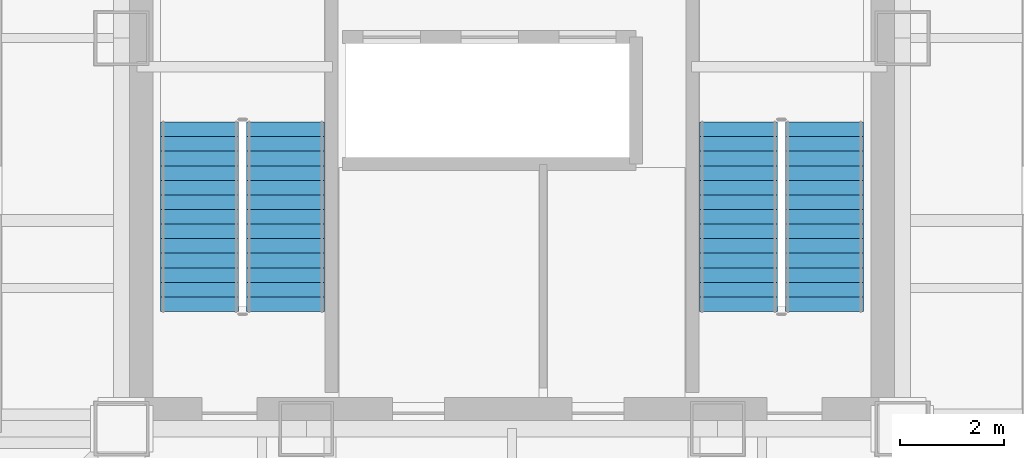
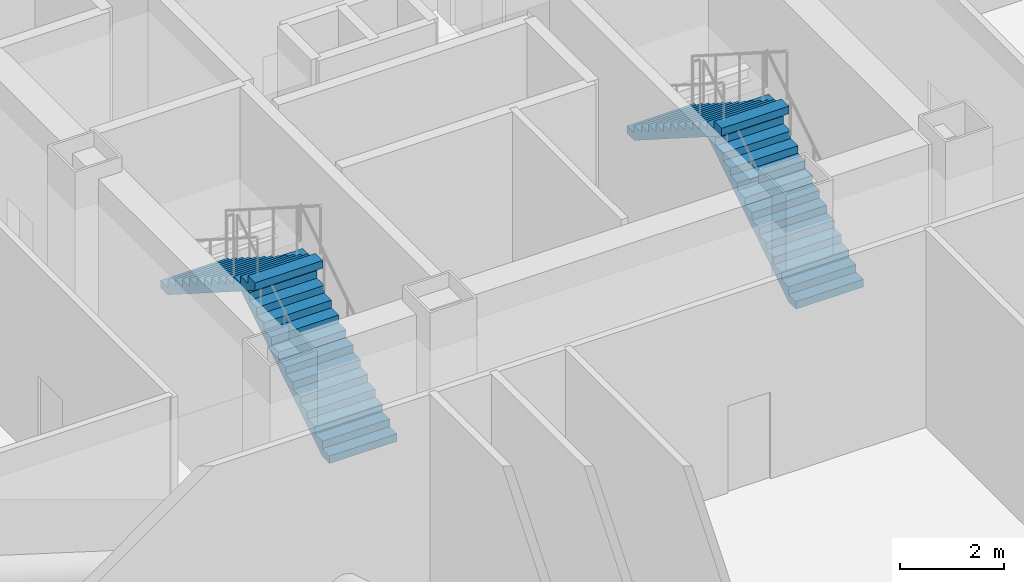
# One storey, part 5 of 8: 4 stair flights, 2 elements without a shape of their own.
"""IFC4 building model written with IfcOpenShell, lengths in metres."""

from ifc_helpers import new_model, si_unit, direction, frame, origin, place, context, subcontext, project, spatial, polyline, outline, extrude, material, type_object, element, aggregate, save


model = new_model("IFC4")

# Units and contexts
model_context = context("Model", 3, precision=1e-05, world=origin(), true_north=direction((0.0, 1.0)))
body_context = subcontext(model_context, "Body", "Model", "MODEL_VIEW")
ifc_project = project(units=[si_unit("LENGTHUNIT", "METRE"), si_unit("AREAUNIT", "SQUARE_METRE"), si_unit("VOLUMEUNIT", "CUBIC_METRE"), si_unit("PLANEANGLEUNIT", "RADIAN"), si_unit("MASSUNIT", "GRAM", prefix="KILO")], contexts=[model_context])

# Site, building, storey
site_placement = place(None, origin())
site = spatial("IfcSite", under=ifc_project, at=site_placement, CompositionType="ELEMENT")
building_placement = place(site_placement, origin())
building = spatial("IfcBuilding", under=site, at=building_placement, Name="Trevonay Congress Spire", CompositionType="ELEMENT")
storey_placement = place(building_placement, frame((0.0, 0.0, 155.199951171875)))
storey = spatial("IfcBuildingStorey", under=building, at=storey_placement, Name="L40", CompositionType="ELEMENT", Elevation=155.199951171875)

# Stair, stair flights
ifc_material = material(Name="Concrete C40/50", Category="concrete")
stair_type_1 = type_object("IfcStairType", Name="STR-ST-1", PredefinedType="HALF_TURN_STAIR", material=ifc_material)
stair_1_placement = place(storey_placement, origin())
stair_1 = element("IfcStair", 1, at=stair_1_placement, inside=storey, type_object=stair_type_1, Name="L40 Protected Exit Stair ST-1", PredefinedType="HALF_TURN_STAIR")
stair_flight_type_1 = type_object("IfcStairFlightType", Name="SFL-ST-1", PredefinedType="STRAIGHT", material=ifc_material)
stair_flight_1_placement = place(storey_placement, frame((-4.35009765625, -5.25, 0.0), z_axis=(0.0, 0.0, 1.0), x_axis=(0.0, 1.0, 0.0)))
stair_flight_1 = element("IfcStairFlight", 2, at=stair_flight_1_placement, type_object=stair_flight_type_1, Name="ST-1 flight 1", NumberOfRisers=14, NumberOfTreads=13, PredefinedType="STRAIGHT", RiserHeight=0.178571429, TreadLength=0.28, context=body_context, shape_type="SweptSolid", body=[
    extrude(outline(polyline([(0.0, 0.0), (0.0, 0.178466796875), (0.280029296875, 0.178466796875), (0.280029296875, 0.357177734375), (0.56005859375, 0.357177734375), (0.56005859375, 0.53564453125), (0.840087890625, 0.53564453125), (0.840087890625, 0.71435546875), (1.1201171875, 0.71435546875), (1.1201171875, 0.892822265625), (1.39990234375, 0.892822265625), (1.39990234375, 1.071533203125), (1.679931640625, 1.071533203125), (1.679931640625, 1.25), (1.9599609375, 1.25), (1.9599609375, 1.428466796875), (2.239990234375, 1.428466796875), (2.239990234375, 1.607177734375), (2.52001953125, 1.607177734375), (2.52001953125, 1.78564453125), (2.800048828125, 1.78564453125), (2.800048828125, 1.96435546875), (3.080078125, 1.96435546875), (3.080078125, 2.142822265625), (3.360107421875, 2.142822265625), (3.360107421875, 2.321533203125), (3.639892578125, 2.321533203125), (3.639892578125, 2.5), (3.639892578125, 2.1435546875), (0.27880859375, 0.0), (0.0, 0.0)])), frame((0.0, 0.75, 0.0), z_axis=(0.0, -1.0, 0.0), x_axis=(1.0, 0.0, 0.0)), (0.0, 0.0, 1.0), 1.5),
])
stair_flight_2_placement = place(storey_placement, frame((-6.0, -1.610107421875, 2.5), z_axis=(0.0, 0.0, 1.0), x_axis=(0.0, -1.0, 0.0)))
stair_flight_2 = element("IfcStairFlight", 3, at=stair_flight_2_placement, type_object=stair_flight_type_1, Name="ST-1 flight 2", NumberOfRisers=14, NumberOfTreads=13, PredefinedType="STRAIGHT", RiserHeight=0.178571429, TreadLength=0.28, context=body_context, shape_type="SweptSolid", body=[
    extrude(outline(polyline([(0.0, 0.0), (0.0, 0.178466796875), (0.280029296875, 0.178466796875), (0.280029296875, 0.357177734375), (0.56005859375, 0.357177734375), (0.56005859375, 0.53564453125), (0.840087890625, 0.53564453125), (0.840087890625, 0.71435546875), (1.1201171875, 0.71435546875), (1.1201171875, 0.892822265625), (1.39990234375, 0.892822265625), (1.39990234375, 1.071533203125), (1.679931640625, 1.071533203125), (1.679931640625, 1.25), (1.9599609375, 1.25), (1.9599609375, 1.428466796875), (2.239990234375, 1.428466796875), (2.239990234375, 1.607177734375), (2.52001953125, 1.607177734375), (2.52001953125, 1.78564453125), (2.800048828125, 1.78564453125), (2.800048828125, 1.96435546875), (3.080078125, 1.96435546875), (3.080078125, 2.142822265625), (3.360107421875, 2.142822265625), (3.360107421875, 2.321533203125), (3.639892578125, 2.321533203125), (3.639892578125, 2.5), (3.639892578125, 2.1435546875), (0.27880859375, 0.0), (0.0, 0.0)])), frame((0.0, 0.75, 0.0), z_axis=(0.0, -1.0, 0.0), x_axis=(1.0, 0.0, 0.0)), (0.0, 0.0, 1.0), 1.5),
])
aggregate(stair_1, [stair_flight_1, stair_flight_2])

stair_type_2 = type_object("IfcStairType", Name="STR-ST-2", PredefinedType="HALF_TURN_STAIR", material=ifc_material)
stair_2_placement = place(storey_placement, origin())
stair_2 = element("IfcStair", 4, at=stair_2_placement, inside=storey, type_object=stair_type_2, Name="L40 Protected Exit Stair ST-2", PredefinedType="HALF_TURN_STAIR")
stair_flight_type_2 = type_object("IfcStairFlightType", Name="SFL-ST-2", PredefinedType="STRAIGHT", material=ifc_material)
stair_flight_3_placement = place(storey_placement, frame((6.0, -5.25, 0.0), z_axis=(0.0, 0.0, 1.0), x_axis=(0.0, 1.0, 0.0)))
stair_flight_3 = element("IfcStairFlight", 5, at=stair_flight_3_placement, type_object=stair_flight_type_2, Name="ST-2 flight 1", NumberOfRisers=14, NumberOfTreads=13, PredefinedType="STRAIGHT", RiserHeight=0.178571429, TreadLength=0.28, context=body_context, shape_type="SweptSolid", body=[
    extrude(outline(polyline([(0.0, 0.0), (0.0, 0.178466796875), (0.280029296875, 0.178466796875), (0.280029296875, 0.357177734375), (0.56005859375, 0.357177734375), (0.56005859375, 0.53564453125), (0.840087890625, 0.53564453125), (0.840087890625, 0.71435546875), (1.1201171875, 0.71435546875), (1.1201171875, 0.892822265625), (1.39990234375, 0.892822265625), (1.39990234375, 1.071533203125), (1.679931640625, 1.071533203125), (1.679931640625, 1.25), (1.9599609375, 1.25), (1.9599609375, 1.428466796875), (2.239990234375, 1.428466796875), (2.239990234375, 1.607177734375), (2.52001953125, 1.607177734375), (2.52001953125, 1.78564453125), (2.800048828125, 1.78564453125), (2.800048828125, 1.96435546875), (3.080078125, 1.96435546875), (3.080078125, 2.142822265625), (3.360107421875, 2.142822265625), (3.360107421875, 2.321533203125), (3.639892578125, 2.321533203125), (3.639892578125, 2.5), (3.639892578125, 2.1435546875), (0.27880859375, 0.0), (0.0, 0.0)])), frame((0.0, 0.75, 0.0), z_axis=(0.0, -1.0, 0.0), x_axis=(1.0, 0.0, 0.0)), (0.0, 0.0, 1.0), 1.5),
])
stair_flight_4_placement = place(storey_placement, frame((4.35009765625, -1.610107421875, 2.5), z_axis=(0.0, 0.0, 1.0), x_axis=(0.0, -1.0, 0.0)))
stair_flight_4 = element("IfcStairFlight", 6, at=stair_flight_4_placement, type_object=stair_flight_type_2, Name="ST-2 flight 2", NumberOfRisers=14, NumberOfTreads=13, PredefinedType="STRAIGHT", RiserHeight=0.178571429, TreadLength=0.28, context=body_context, shape_type="SweptSolid", body=[
    extrude(outline(polyline([(0.0, 0.0), (0.0, 0.178466796875), (0.280029296875, 0.178466796875), (0.280029296875, 0.357177734375), (0.56005859375, 0.357177734375), (0.56005859375, 0.53564453125), (0.840087890625, 0.53564453125), (0.840087890625, 0.71435546875), (1.1201171875, 0.71435546875), (1.1201171875, 0.892822265625), (1.39990234375, 0.892822265625), (1.39990234375, 1.071533203125), (1.679931640625, 1.071533203125), (1.679931640625, 1.25), (1.9599609375, 1.25), (1.9599609375, 1.428466796875), (2.239990234375, 1.428466796875), (2.239990234375, 1.607177734375), (2.52001953125, 1.607177734375), (2.52001953125, 1.78564453125), (2.800048828125, 1.78564453125), (2.800048828125, 1.96435546875), (3.080078125, 1.96435546875), (3.080078125, 2.142822265625), (3.360107421875, 2.142822265625), (3.360107421875, 2.321533203125), (3.639892578125, 2.321533203125), (3.639892578125, 2.5), (3.639892578125, 2.1435546875), (0.27880859375, 0.0), (0.0, 0.0)])), frame((0.0, 0.75, 0.0), z_axis=(0.0, -1.0, 0.0), x_axis=(1.0, 0.0, 0.0)), (0.0, 0.0, 1.0), 1.5),
])
aggregate(stair_2, [stair_flight_3, stair_flight_4])

save(model, "model.ifc")
